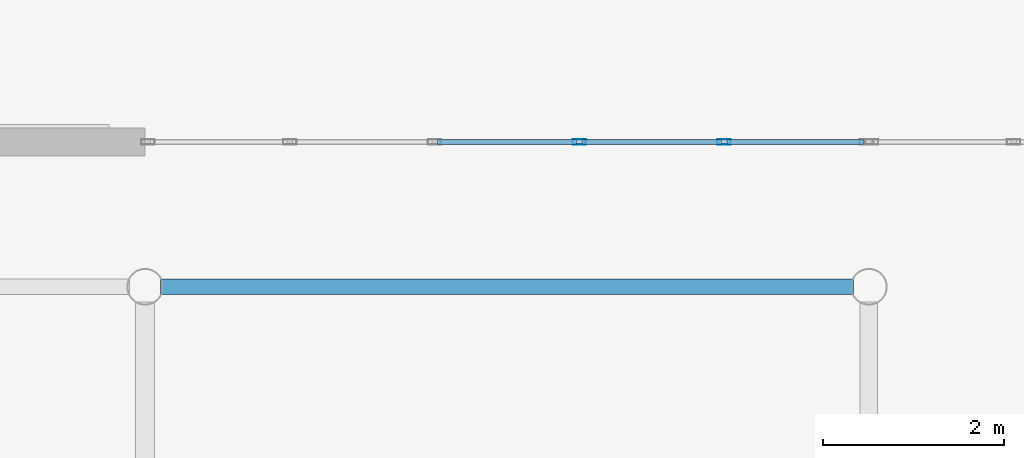
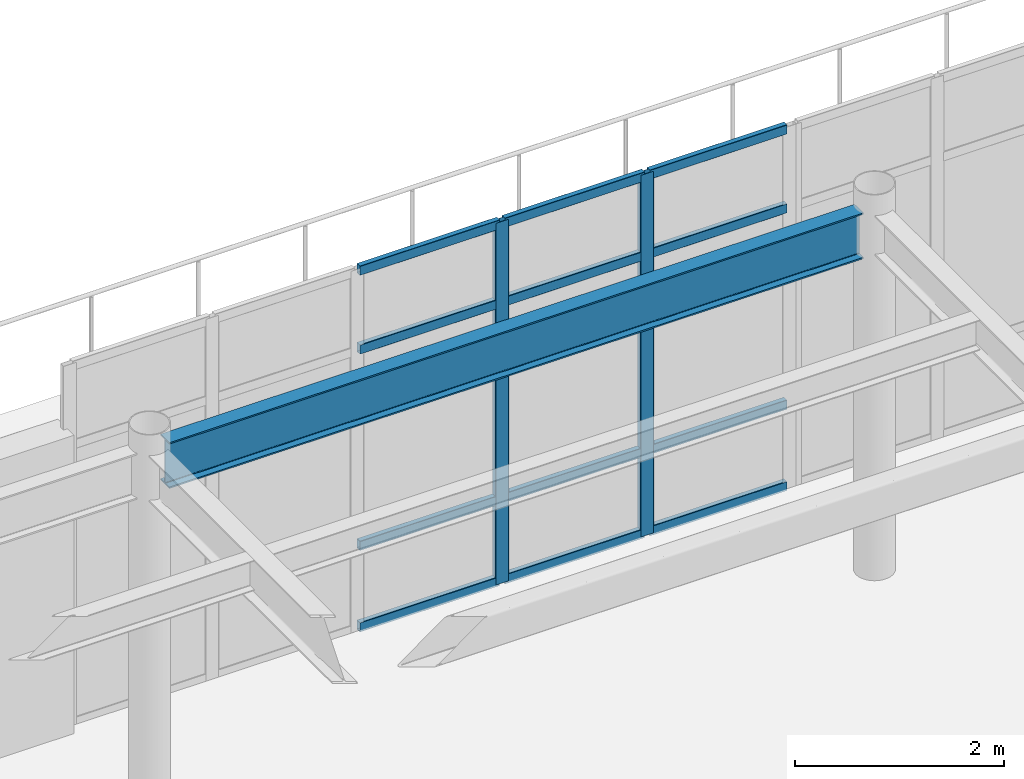
# One storey, part 28 of 93: 14 members, 1 beam, 1 element without a shape of its own.
"""IFC4 building model written with IfcOpenShell, lengths in metres."""

from ifc_helpers import new_model, si_unit, direction, frame, origin, origin_2d, place, context, subcontext, project, spatial, hollow_rectangle, i_section, extrude, material, material_profile, profile_set, type_object, element, aggregate, save


model = new_model("IFC4")

# Units and contexts
model_context = context("Model", 3, precision=1e-05, world=origin(), true_north=direction((0.0, 1.0)))
body_context = subcontext(model_context, "Body", "Model", "MODEL_VIEW")
ifc_project = project(units=[si_unit("LENGTHUNIT", "METRE"), si_unit("AREAUNIT", "SQUARE_METRE"), si_unit("VOLUMEUNIT", "CUBIC_METRE"), si_unit("PLANEANGLEUNIT", "RADIAN"), si_unit("MASSUNIT", "GRAM", prefix="KILO")], contexts=[model_context])

# Site, building, storey
site_placement = place(None, origin())
site = spatial("IfcSite", under=ifc_project, at=site_placement, CompositionType="ELEMENT")
building_placement = place(site_placement, origin())
building = spatial("IfcBuilding", under=site, at=building_placement, Name="Solmirada Galleria", CompositionType="ELEMENT")
storey_placement = place(building_placement, frame((0.0, 0.0, 14.89990234375)))
storey = spatial("IfcBuildingStorey", under=building, at=storey_placement, Name="L03", CompositionType="ELEMENT", Elevation=14.89990234375)

# Beam
ifc_material_1 = material(Name="Steel S355 / ASTM A992 Grade 50", Category="steel")
ifc_material_profile_1 = material_profile(ifc_material_1, i_section(OverallWidth=0.1669921875, OverallDepth=0.534912109375, WebThickness=0.01025390625, FlangeThickness=0.0166015625, FilletRadius=0.013916015625, at=origin_2d()), Name="W21X57")
ifc_profile_set_1 = profile_set([ifc_material_profile_1], Name="Steel S355 / ASTM A992 Grade 50")
beam_type = type_object("IfcBeamType", Name="BM-GIRD-W21C", PredefinedType="BEAM", material=ifc_profile_set_1)
beam_placement = place(storey_placement, frame((128.17041015625, 32.0, 3.99267578125), z_axis=(1.0, 0.0, 0.0), x_axis=(0.0, 1.0, 0.0)))
element("IfcBeam", 1, at=beam_placement, inside=storey, type_object=beam_type, Name="Primary beam L04 X(128..136, 32)", PredefinedType="BEAM", context=body_context, shape_type="SweptSolid", body=[
    extrude(i_section(OverallWidth=0.1669921875, OverallDepth=0.534912109375, WebThickness=0.01025390625, FlangeThickness=0.0166015625, FilletRadius=0.013916015625, at=origin_2d()), origin(), (0.0, 0.0, 1.0), 7.6591796875),
])

# Curtain wall, members
ifc_material_2 = material(Name="Impact-resistant low-E double glazing", Category="glass")
curtain_wall_type = type_object("IfcCurtainWallType", Name="CW-FZ5-L03-B5-L080", PredefinedType="NOTDEFINED", material=ifc_material_2)
curtain_wall_placement = place(storey_placement, origin())
curtain_wall = element("IfcCurtainWall", 2, at=curtain_wall_placement, inside=storey, type_object=curtain_wall_type, Name="Terrace and arcade storefront CW-L03-139", PredefinedType="NOTDEFINED")
ifc_material_3 = material(Name="Anodised aluminium framing", Category="aluminium")
ifc_material_profile_2 = material_profile(ifc_material_3, hollow_rectangle(XDim=0.06005859375, YDim=0.14990234375, WallThickness=0.00341796875, InnerFilletRadius=0.00341796875, OuterFilletRadius=0.007080078125, at=origin_2d()), Name="ALU-MULL-150X60")
ifc_profile_set_2 = profile_set([ifc_material_profile_2], Name="Anodised aluminium framing")
member_type_1 = type_object("IfcMemberType", Name="CW-MULL-150", PredefinedType="MULLION", material=ifc_profile_set_2)
member_1_placement = place(storey_placement, frame((132.800048828125, 33.60009765625, 0.0), z_axis=(0.0, 0.0, 1.0), x_axis=(0.0, 1.0, 0.0)))
member_1 = element("IfcMember", 3, at=member_1_placement, type_object=member_type_1, Name="CW29 mullion 4", PredefinedType="MULLION", context=body_context, shape_type="SweptSolid", body=[
    extrude(hollow_rectangle(XDim=0.06005859375, YDim=0.14990234375, WallThickness=0.00341796875, InnerFilletRadius=0.00341796875, OuterFilletRadius=0.007080078125, at=origin_2d()), origin(), (0.0, 0.0, 1.0), 4.22021484375),
])
member_2_placement = place(storey_placement, frame((134.39990234375, 33.60009765625, 0.0), z_axis=(0.0, 0.0, 1.0), x_axis=(0.0, 1.0, 0.0)))
member_2 = element("IfcMember", 4, at=member_2_placement, type_object=member_type_1, Name="CW29 mullion 5", PredefinedType="MULLION", context=body_context, shape_type="SweptSolid", body=[
    extrude(hollow_rectangle(XDim=0.06005859375, YDim=0.14990234375, WallThickness=0.00341796875, InnerFilletRadius=0.00341796875, OuterFilletRadius=0.007080078125, at=origin_2d()), origin(), (0.0, 0.0, 1.0), 4.22021484375),
])
ifc_material_profile_3 = material_profile(ifc_material_3, hollow_rectangle(XDim=0.06005859375, YDim=0.110107421875, WallThickness=0.003173828125, InnerFilletRadius=0.003173828125, OuterFilletRadius=0.00634765625, at=origin_2d()), Name="ALU-TRAN-110X60")
ifc_profile_set_3 = profile_set([ifc_material_profile_3], Name="Anodised aluminium framing")
member_type_2 = type_object("IfcMemberType", Name="CW-TRAN-110", PredefinedType="USERDEFINED", material=ifc_profile_set_3)
member_3_placement = place(storey_placement, frame((131.22998046875, 33.60009765625, 0.030029296875), z_axis=(1.0, 0.0, 0.0), x_axis=(0.0, 1.0, 0.0)))
member_3 = element("IfcMember", 5, at=member_3_placement, type_object=member_type_2, Name="CW29 transom 3.1", ObjectType="TRANSOM", PredefinedType="USERDEFINED", context=body_context, shape_type="SweptSolid", body=[
    extrude(hollow_rectangle(XDim=0.06005859375, YDim=0.110107421875, WallThickness=0.003173828125, InnerFilletRadius=0.003173828125, OuterFilletRadius=0.00634765625, at=origin_2d()), origin(), (0.0, 0.0, 1.0), 1.5400390625),
])
member_4_placement = place(storey_placement, frame((131.22998046875, 33.60009765625, 0.97998046875), z_axis=(1.0, 0.0, 0.0), x_axis=(0.0, 1.0, 0.0)))
member_4 = element("IfcMember", 6, at=member_4_placement, type_object=member_type_2, Name="CW29 transom 3.2", ObjectType="TRANSOM", PredefinedType="USERDEFINED", context=body_context, shape_type="SweptSolid", body=[
    extrude(hollow_rectangle(XDim=0.06005859375, YDim=0.110107421875, WallThickness=0.003173828125, InnerFilletRadius=0.003173828125, OuterFilletRadius=0.00634765625, at=origin_2d()), origin(), (0.0, 0.0, 1.0), 1.5400390625),
])
member_5_placement = place(storey_placement, frame((131.22998046875, 33.60009765625, 3.27001953125), z_axis=(1.0, 0.0, 0.0), x_axis=(0.0, 1.0, 0.0)))
member_5 = element("IfcMember", 7, at=member_5_placement, type_object=member_type_2, Name="CW29 transom 3.3", ObjectType="TRANSOM", PredefinedType="USERDEFINED", context=body_context, shape_type="SweptSolid", body=[
    extrude(hollow_rectangle(XDim=0.06005859375, YDim=0.110107421875, WallThickness=0.003173828125, InnerFilletRadius=0.003173828125, OuterFilletRadius=0.00634765625, at=origin_2d()), origin(), (0.0, 0.0, 1.0), 1.5400390625),
])
member_6_placement = place(storey_placement, frame((131.22998046875, 33.60009765625, 4.190185546875), z_axis=(1.0, 0.0, 0.0), x_axis=(0.0, 1.0, 0.0)))
member_6 = element("IfcMember", 8, at=member_6_placement, type_object=member_type_2, Name="CW29 transom 3.4", ObjectType="TRANSOM", PredefinedType="USERDEFINED", context=body_context, shape_type="SweptSolid", body=[
    extrude(hollow_rectangle(XDim=0.06005859375, YDim=0.110107421875, WallThickness=0.003173828125, InnerFilletRadius=0.003173828125, OuterFilletRadius=0.00634765625, at=origin_2d()), origin(), (0.0, 0.0, 1.0), 1.5400390625),
])
member_7_placement = place(storey_placement, frame((132.830078125, 33.60009765625, 0.030029296875), z_axis=(1.0, 0.0, 0.0), x_axis=(0.0, 1.0, 0.0)))
member_7 = element("IfcMember", 9, at=member_7_placement, type_object=member_type_2, Name="CW29 transom 4.1", ObjectType="TRANSOM", PredefinedType="USERDEFINED", context=body_context, shape_type="SweptSolid", body=[
    extrude(hollow_rectangle(XDim=0.06005859375, YDim=0.110107421875, WallThickness=0.003173828125, InnerFilletRadius=0.003173828125, OuterFilletRadius=0.00634765625, at=origin_2d()), origin(), (0.0, 0.0, 1.0), 1.5400390625),
])
member_8_placement = place(storey_placement, frame((132.830078125, 33.60009765625, 0.97998046875), z_axis=(1.0, 0.0, 0.0), x_axis=(0.0, 1.0, 0.0)))
member_8 = element("IfcMember", 10, at=member_8_placement, type_object=member_type_2, Name="CW29 transom 4.2", ObjectType="TRANSOM", PredefinedType="USERDEFINED", context=body_context, shape_type="SweptSolid", body=[
    extrude(hollow_rectangle(XDim=0.06005859375, YDim=0.110107421875, WallThickness=0.003173828125, InnerFilletRadius=0.003173828125, OuterFilletRadius=0.00634765625, at=origin_2d()), origin(), (0.0, 0.0, 1.0), 1.5400390625),
])
member_9_placement = place(storey_placement, frame((132.830078125, 33.60009765625, 3.27001953125), z_axis=(1.0, 0.0, 0.0), x_axis=(0.0, 1.0, 0.0)))
member_9 = element("IfcMember", 11, at=member_9_placement, type_object=member_type_2, Name="CW29 transom 4.3", ObjectType="TRANSOM", PredefinedType="USERDEFINED", context=body_context, shape_type="SweptSolid", body=[
    extrude(hollow_rectangle(XDim=0.06005859375, YDim=0.110107421875, WallThickness=0.003173828125, InnerFilletRadius=0.003173828125, OuterFilletRadius=0.00634765625, at=origin_2d()), origin(), (0.0, 0.0, 1.0), 1.5400390625),
])
member_10_placement = place(storey_placement, frame((132.830078125, 33.60009765625, 4.190185546875), z_axis=(1.0, 0.0, 0.0), x_axis=(0.0, 1.0, 0.0)))
member_10 = element("IfcMember", 12, at=member_10_placement, type_object=member_type_2, Name="CW29 transom 4.4", ObjectType="TRANSOM", PredefinedType="USERDEFINED", context=body_context, shape_type="SweptSolid", body=[
    extrude(hollow_rectangle(XDim=0.06005859375, YDim=0.110107421875, WallThickness=0.003173828125, InnerFilletRadius=0.003173828125, OuterFilletRadius=0.00634765625, at=origin_2d()), origin(), (0.0, 0.0, 1.0), 1.5400390625),
])
member_11_placement = place(storey_placement, frame((134.429931640625, 33.60009765625, 0.030029296875), z_axis=(1.0, 0.0, 0.0), x_axis=(0.0, 1.0, 0.0)))
member_11 = element("IfcMember", 13, at=member_11_placement, type_object=member_type_2, Name="CW29 transom 5.1", ObjectType="TRANSOM", PredefinedType="USERDEFINED", context=body_context, shape_type="SweptSolid", body=[
    extrude(hollow_rectangle(XDim=0.06005859375, YDim=0.110107421875, WallThickness=0.003173828125, InnerFilletRadius=0.003173828125, OuterFilletRadius=0.00634765625, at=origin_2d()), origin(), (0.0, 0.0, 1.0), 1.510009765625),
])
member_12_placement = place(storey_placement, frame((134.429931640625, 33.60009765625, 0.97998046875), z_axis=(1.0, 0.0, 0.0), x_axis=(0.0, 1.0, 0.0)))
member_12 = element("IfcMember", 14, at=member_12_placement, type_object=member_type_2, Name="CW29 transom 5.2", ObjectType="TRANSOM", PredefinedType="USERDEFINED", context=body_context, shape_type="SweptSolid", body=[
    extrude(hollow_rectangle(XDim=0.06005859375, YDim=0.110107421875, WallThickness=0.003173828125, InnerFilletRadius=0.003173828125, OuterFilletRadius=0.00634765625, at=origin_2d()), origin(), (0.0, 0.0, 1.0), 1.510009765625),
])
member_13_placement = place(storey_placement, frame((134.429931640625, 33.60009765625, 3.27001953125), z_axis=(1.0, 0.0, 0.0), x_axis=(0.0, 1.0, 0.0)))
member_13 = element("IfcMember", 15, at=member_13_placement, type_object=member_type_2, Name="CW29 transom 5.3", ObjectType="TRANSOM", PredefinedType="USERDEFINED", context=body_context, shape_type="SweptSolid", body=[
    extrude(hollow_rectangle(XDim=0.06005859375, YDim=0.110107421875, WallThickness=0.003173828125, InnerFilletRadius=0.003173828125, OuterFilletRadius=0.00634765625, at=origin_2d()), origin(), (0.0, 0.0, 1.0), 1.510009765625),
])
member_14_placement = place(storey_placement, frame((134.429931640625, 33.60009765625, 4.190185546875), z_axis=(1.0, 0.0, 0.0), x_axis=(0.0, 1.0, 0.0)))
member_14 = element("IfcMember", 16, at=member_14_placement, type_object=member_type_2, Name="CW29 transom 5.4", ObjectType="TRANSOM", PredefinedType="USERDEFINED", context=body_context, shape_type="SweptSolid", body=[
    extrude(hollow_rectangle(XDim=0.06005859375, YDim=0.110107421875, WallThickness=0.003173828125, InnerFilletRadius=0.003173828125, OuterFilletRadius=0.00634765625, at=origin_2d()), origin(), (0.0, 0.0, 1.0), 1.510009765625),
])
aggregate(curtain_wall, [member_1, member_2, member_3, member_4, member_5, member_6, member_7, member_8, member_9, member_10, member_11, member_12, member_13, member_14])

save(model, "model.ifc")
